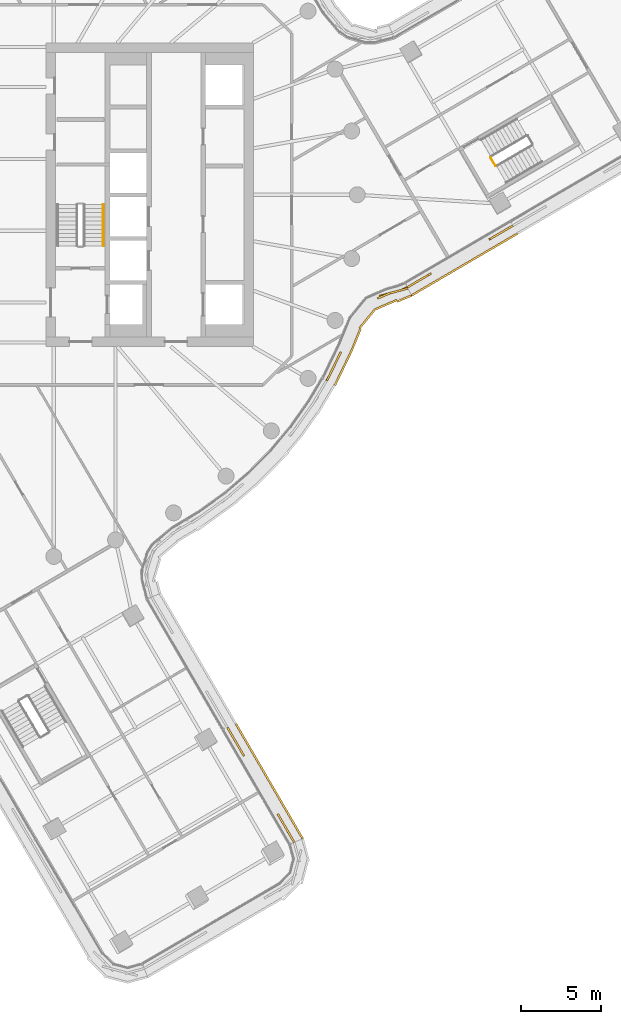
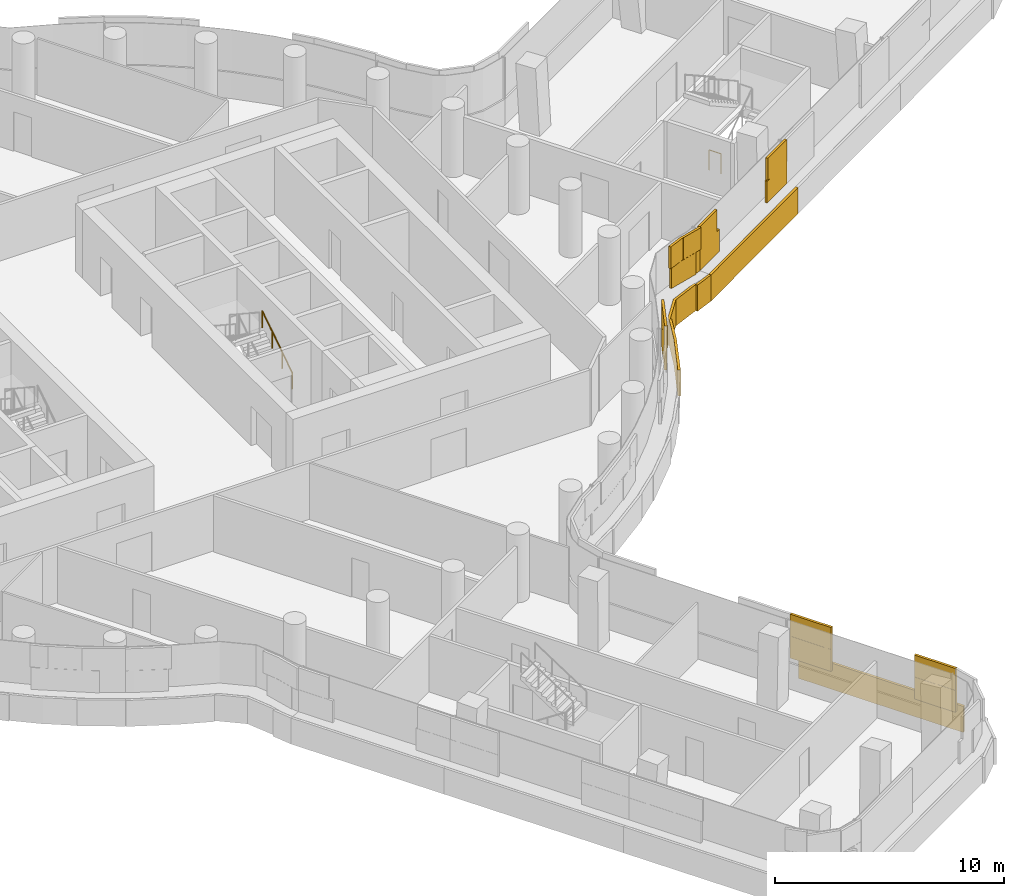
# One storey, part 31 of 35: 3 coverings, 2 railings.
"""IFC4 building model written with IfcOpenShell, lengths in metres."""

from ifc_helpers import new_model, si_unit, direction, frame, origin, origin_2d, place, context, subcontext, project, spatial, rectangle, circle, extrude, material, layer, layer_set, type_object, element, save


model = new_model("IFC4")

# Units and contexts
model_context = context("Model", 3, precision=1e-05, world=origin(), true_north=direction((0.0, 1.0)))
body_context = subcontext(model_context, "Body", "Model", "MODEL_VIEW")
ifc_project = project(units=[si_unit("LENGTHUNIT", "METRE"), si_unit("AREAUNIT", "SQUARE_METRE"), si_unit("VOLUMEUNIT", "CUBIC_METRE"), si_unit("PLANEANGLEUNIT", "RADIAN"), si_unit("MASSUNIT", "GRAM", prefix="KILO")], contexts=[model_context])

# Site, building, storey
site_placement = place(None, origin())
site = spatial("IfcSite", under=ifc_project, at=site_placement, CompositionType="ELEMENT")
building_placement = place(site_placement, origin())
building = spatial("IfcBuilding", under=site, at=building_placement, Name="Tamarind Cross Interchange Tower", CompositionType="ELEMENT")
storey_placement = place(building_placement, frame((0.0, 0.0, 144.25)))
storey = spatial("IfcBuildingStorey", under=building, at=storey_placement, Name="L35", CompositionType="ELEMENT", Elevation=144.25)

# Railings
ifc_material_1 = material(Name="Stair guard")
railing_type_1 = type_object("IfcRailingType", Name="Stair guard", PredefinedType="GUARDRAIL", material=ifc_material_1)
railing_1_placement = place(storey_placement, frame((31.6513671875, 1.817626953125, 0.0)))
element("IfcRailing", 1, at=railing_1_placement, inside=storey, type_object=railing_type_1, Name="L35 ST3 stair guard 4", PredefinedType="GUARDRAIL", context=body_context, shape_type="SweptSolid", body=[
    extrude(circle(Radius=0.02392578125, at=origin_2d()), frame((0.0, 0.0, 1.076171875), z_axis=(-0.504528630285, 0.863394962472, 0.0), x_axis=(-0.863394962472, -0.504528630285, 0.0)), (0.0, 0.0, 1.0), 0.60009765625),
    extrude(circle(Radius=0.02099609375, at=origin_2d()), origin(), (0.0, 0.0, 1.0), 1.052001953125),
    extrude(circle(Radius=0.02099609375, at=origin_2d()), frame((-0.302734375, 0.51806640625, 0.0)), (0.0, 0.0, 1.0), 1.052001953125),
])
ifc_material_2 = material(Name="Stair handrail")
railing_type_2 = type_object("IfcRailingType", Name="Stair handrail", PredefinedType="HANDRAIL", material=ifc_material_2)
railing_2_placement = place(storey_placement, frame((7.10009765625, -3.199951171875, 0.17041015625)))
element("IfcRailing", 2, at=railing_2_placement, inside=storey, type_object=railing_type_2, Name="L35 ST2 stair handrail 1", PredefinedType="HANDRAIL", context=body_context, shape_type="SweptSolid", body=[
    extrude(circle(Radius=0.02392578125, at=origin_2d()), frame((0.0, 0.0, 0.8759765625), z_axis=(0.0, 0.836278606002, 0.548304744775), x_axis=(-1.0, 0.0, 0.0)), (0.0, 0.0, 1.0), 3.10888671875),
    extrude(circle(Radius=0.02099609375, at=origin_2d()), origin(), (0.0, 0.0, 1.0), 0.851806640625),
    extrude(circle(Radius=0.02099609375, at=origin_2d()), frame((0.0, 0.86669921875, 0.568115234375)), (0.0, 0.0, 1.0), 0.851806640625),
    extrude(circle(Radius=0.02099609375, at=origin_2d()), frame((0.0, 1.733154296875, 1.136474609375)), (0.0, 0.0, 1.0), 0.851806640625),
    extrude(circle(Radius=0.02099609375, at=origin_2d()), frame((0.0, 2.599853515625, 1.70458984375)), (0.0, 0.0, 1.0), 0.851806640625),
])

# Coverings
ifc_material_3 = material(Name="Terracotta", Category="masonry")
ifc_layer = layer(ifc_material_3, 0.1201171875)
ifc_layer_set = layer_set([ifc_layer], Name="Terracotta")
covering_type = type_object("IfcCoveringType", Name="Terracotta baguette screen unit", PredefinedType="MOLDING", material=ifc_layer_set)
covering_1_placement = place(storey_placement, origin())
element("IfcCovering", 3, at=covering_1_placement, inside=storey, type_object=covering_type, Name="SCR-L35-05-00", PredefinedType="MOLDING", context=body_context, shape_type="SweptSolid", body=[
    extrude(rectangle(XDim=0.760009765625, YDim=0.1201171875, at=origin_2d()), frame((18.86181640625, -40.224609375, 1.404052734375), z_axis=(0.0, 0.0, 1.0), x_axis=(-0.502708433946, 0.864456031525, 0.0)), (0.0, 0.0, 1.0), 1.1669921875),
    extrude(rectangle(XDim=1.317138671875, YDim=0.1201171875, at=origin_2d()), frame((18.3447265625, -39.33544921875, 1.404052734375), z_axis=(0.0, 0.0, 1.0), x_axis=(-0.502708433946, 0.864456031525, 0.0)), (0.0, 0.0, 1.0), 1.1669921875),
    extrude(rectangle(XDim=0.5029296875, YDim=0.1201171875, at=origin_2d()), frame((15.781005859375, -34.9267578125, 1.404052734375), z_axis=(0.0, 0.0, 1.0), x_axis=(-0.502708433946, 0.864456031525, 0.0)), (0.0, 0.0, 1.0), 1.1669921875),
    extrude(rectangle(XDim=1.52001953125, YDim=0.1201171875, at=origin_2d()), frame((15.280029296875, -34.0654296875, 1.404052734375), z_axis=(0.0, 0.0, 1.0), x_axis=(-0.502708433946, 0.864456031525, 0.0)), (0.0, 0.0, 1.0), 1.1669921875),
    extrude(rectangle(XDim=0.073974609375, YDim=0.1201171875, at=origin_2d()), frame((14.886962890625, -33.389404296875, 1.404052734375), z_axis=(0.0, 0.0, 1.0), x_axis=(-0.502708433946, 0.864456031525, 0.0)), (0.0, 0.0, 1.0), 1.1669921875),
    extrude(rectangle(XDim=1.510009765625, YDim=0.1201171875, at=origin_2d()), frame((18.67333984375, -39.900390625, 2.5791015625), z_axis=(0.0, 0.0, 1.0), x_axis=(-0.502708433946, 0.864456031525, 0.0)), (0.0, 0.0, 1.0), 1.1669921875),
    extrude(rectangle(XDim=0.567138671875, YDim=0.1201171875, at=origin_2d()), frame((18.15625, -39.01123046875, 2.5791015625), z_axis=(0.0, 0.0, 1.0), x_axis=(-0.502708433946, 0.864456031525, 0.0)), (0.0, 0.0, 1.0), 1.1669921875),
    extrude(rectangle(XDim=1.2529296875, YDim=0.1201171875, at=origin_2d()), frame((15.592529296875, -34.6025390625, 2.5791015625), z_axis=(0.0, 0.0, 1.0), x_axis=(-0.502708433946, 0.864456031525, 0.0)), (0.0, 0.0, 1.0), 1.1669921875),
    extrude(rectangle(XDim=0.823974609375, YDim=0.1201171875, at=origin_2d()), frame((15.075439453125, -33.71337890625, 2.5791015625), z_axis=(0.0, 0.0, 1.0), x_axis=(-0.502708433946, 0.864456031525, 0.0)), (0.0, 0.0, 1.0), 1.1669921875),
    extrude(rectangle(XDim=0.760009765625, YDim=0.1201171875, at=origin_2d()), frame((19.393310546875, -39.99658203125, 0.00390625), z_axis=(0.0, 0.0, 1.0), x_axis=(-0.502708433946, 0.864456031525, 0.0)), (0.0, 0.0, 1.0), 1.39208984375),
    extrude(rectangle(XDim=1.52001953125, YDim=0.1201171875, at=origin_2d()), frame((18.830078125, -39.0283203125, 0.00390625), z_axis=(0.0, 0.0, 1.0), x_axis=(-0.502708433946, 0.864456031525, 0.0)), (0.0, 0.0, 1.0), 1.39208984375),
    extrude(rectangle(XDim=1.52001953125, YDim=0.1201171875, at=origin_2d()), frame((18.076171875, -37.731689453125, 0.00390625), z_axis=(0.0, 0.0, 1.0), x_axis=(-0.502708433946, 0.864456031525, 0.0)), (0.0, 0.0, 1.0), 1.39208984375),
    extrude(rectangle(XDim=1.52001953125, YDim=0.1201171875, at=origin_2d()), frame((17.322021484375, -36.43505859375, 0.00390625), z_axis=(0.0, 0.0, 1.0), x_axis=(-0.502708433946, 0.864456031525, 0.0)), (0.0, 0.0, 1.0), 1.39208984375),
    extrude(rectangle(XDim=1.52001953125, YDim=0.1201171875, at=origin_2d()), frame((16.56787109375, -35.13818359375, 0.00390625), z_axis=(0.0, 0.0, 1.0), x_axis=(-0.502708433946, 0.864456031525, 0.0)), (0.0, 0.0, 1.0), 1.39208984375),
    extrude(rectangle(XDim=1.52001953125, YDim=0.1201171875, at=origin_2d()), frame((15.81396484375, -33.841552734375, 0.00390625), z_axis=(0.0, 0.0, 1.0), x_axis=(-0.502708433946, 0.864456031525, 0.0)), (0.0, 0.0, 1.0), 1.39208984375),
    extrude(rectangle(XDim=0.072265625, YDim=0.1201171875, at=origin_2d()), frame((15.423828125, -33.170654296875, 0.00390625), z_axis=(0.0, 0.0, 1.0), x_axis=(-0.502708433946, 0.864456031525, 0.0)), (0.0, 0.0, 1.0), 1.39208984375),
])
covering_2_placement = place(storey_placement, origin())
element("IfcCovering", 4, at=covering_2_placement, inside=storey, type_object=covering_type, Name="SCR-L35-06-01", PredefinedType="MOLDING", context=body_context, shape_type="SweptSolid", body=[
    extrude(rectangle(XDim=0.376708984375, YDim=0.1201171875, at=origin_2d()), frame((21.171142578125, -11.475830078125, 1.404052734375), z_axis=(0.0, 0.0, 1.0), x_axis=(0.508183308752, 0.861248933065, 0.0)), (0.0, 0.0, 1.0), 1.1669921875),
    extrude(rectangle(XDim=1.52001953125, YDim=0.1201171875, at=origin_2d()), frame((21.586181640625, -10.64013671875, 1.404052734375), z_axis=(0.0, 0.0, 1.0), x_axis=(0.435326231914, 0.900272776334, 0.0)), (0.0, 0.0, 1.0), 1.1669921875),
    extrude(rectangle(XDim=1.52001953125, YDim=0.1201171875, at=origin_2d()), frame((25.112060546875, -6.14599609375, 1.404052734375), z_axis=(0.0, 0.0, 1.0), x_axis=(0.964561102727, 0.263859582177, 0.0)), (0.0, 0.0, 1.0), 1.1669921875),
    extrude(rectangle(XDim=0.349609375, YDim=0.1201171875, at=origin_2d()), frame((25.983642578125, -5.858154296875, 1.404052734375), z_axis=(0.0, 0.0, 1.0), x_axis=(0.921868562237, 0.387502714777, 0.0)), (0.0, 0.0, 1.0), 1.1669921875),
    extrude(rectangle(XDim=1.126708984375, YDim=0.1201171875, at=origin_2d()), frame((21.34326171875, -11.142822265625, 2.5791015625), z_axis=(0.0, 0.0, 1.0), x_axis=(0.435326231914, 0.900272776334, 0.0)), (0.0, 0.0, 1.0), 1.1669921875),
    extrude(rectangle(XDim=0.896484375, YDim=0.1201171875, at=origin_2d()), frame((21.779296875, -10.2412109375, 2.5791015625), z_axis=(0.0, 0.0, 1.0), x_axis=(0.435326231914, 0.900272776334, 0.0)), (0.0, 0.0, 1.0), 1.1669921875),
    extrude(rectangle(XDim=0.92333984375, YDim=0.1201171875, at=origin_2d()), frame((24.686279296875, -6.30859375, 2.5791015625), z_axis=(0.0, 0.0, 1.0), x_axis=(0.918267007233, 0.395961744904, 0.0)), (0.0, 0.0, 1.0), 1.1669921875),
    extrude(rectangle(XDim=1.099609375, YDim=0.1201171875, at=origin_2d()), frame((25.637451171875, -6.002197265625, 2.5791015625), z_axis=(0.0, 0.0, 1.0), x_axis=(0.964561102727, 0.263859582177, 0.0)), (0.0, 0.0, 1.0), 1.1669921875),
    extrude(rectangle(XDim=0.895263671875, YDim=0.1201171875, at=origin_2d()), frame((21.79833984375, -11.520263671875, 0.00390625), z_axis=(0.0, 0.0, 1.0), x_axis=(0.435326231914, 0.900272776334, 0.0)), (0.0, 0.0, 1.0), 1.39208984375),
    extrude(rectangle(XDim=1.52001953125, YDim=0.1201171875, at=origin_2d()), frame((22.315185546875, -10.451171875, 0.00390625), z_axis=(0.0, 0.0, 1.0), x_axis=(0.435326231914, 0.900272776334, 0.0)), (0.0, 0.0, 1.0), 1.39208984375),
    extrude(rectangle(XDim=1.52001953125, YDim=0.1201171875, at=origin_2d()), frame((22.9228515625, -9.08056640625, 0.00390625), z_axis=(0.0, 0.0, 1.0), x_axis=(0.378105205414, 0.925762633529, 0.0)), (0.0, 0.0, 1.0), 1.39208984375),
    extrude(rectangle(XDim=1.52001953125, YDim=0.1201171875, at=origin_2d()), frame((23.623046875, -7.771240234375, 0.00390625), z_axis=(0.0, 0.0, 1.0), x_axis=(0.635369060979, 0.772208622298, 0.0)), (0.0, 0.0, 1.0), 1.39208984375),
    extrude(rectangle(XDim=1.52001953125, YDim=0.1201171875, at=origin_2d()), frame((24.78515625, -6.89111328125, 0.00390625), z_axis=(0.0, 0.0, 1.0), x_axis=(0.918267007233, 0.395961744904, 0.0)), (0.0, 0.0, 1.0), 1.39208984375),
    extrude(rectangle(XDim=0.978515625, YDim=0.1201171875, at=origin_2d()), frame((25.9462890625, -6.49658203125, 0.00390625), z_axis=(0.0, 0.0, 1.0), x_axis=(0.921868562237, 0.387502714777, 0.0)), (0.0, 0.0, 1.0), 1.39208984375),
])
covering_3_placement = place(storey_placement, origin())
element("IfcCovering", 5, at=covering_3_placement, inside=storey, type_object=covering_type, Name="SCR-L35-07-00", PredefinedType="MOLDING", context=body_context, shape_type="SweptSolid", body=[
    extrude(rectangle(XDim=0.760009765625, YDim=0.1201171875, at=origin_2d()), frame((26.464111328125, -5.603271484375, 1.404052734375), z_axis=(0.0, 0.0, 1.0), x_axis=(0.863402595057, 0.50451556849, 0.0)), (0.0, 0.0, 1.0), 1.1669921875),
    extrude(rectangle(XDim=0.983642578125, YDim=0.1201171875, at=origin_2d()), frame((27.208251953125, -5.16845703125, 1.404052734375), z_axis=(0.0, 0.0, 1.0), x_axis=(0.863402595057, 0.50451556849, 0.0)), (0.0, 0.0, 1.0), 1.1669921875),
    extrude(rectangle(XDim=0.83642578125, YDim=0.1201171875, at=origin_2d()), frame((31.611572265625, -2.595458984375, 1.404052734375), z_axis=(0.0, 0.0, 1.0), x_axis=(0.863402595057, 0.50451556849, 0.0)), (0.0, 0.0, 1.0), 1.1669921875),
    extrude(rectangle(XDim=0.9072265625, YDim=0.1201171875, at=origin_2d()), frame((32.35546875, -2.16064453125, 1.404052734375), z_axis=(0.0, 0.0, 1.0), x_axis=(0.863402595057, 0.50451556849, 0.0)), (0.0, 0.0, 1.0), 1.1669921875),
    extrude(rectangle(XDim=1.510009765625, YDim=0.1201171875, at=origin_2d()), frame((26.787841796875, -5.4140625, 2.5791015625), z_axis=(0.0, 0.0, 1.0), x_axis=(0.863402595057, 0.50451556849, 0.0)), (0.0, 0.0, 1.0), 1.1669921875),
    extrude(rectangle(XDim=1.52001953125, YDim=0.1201171875, at=origin_2d()), frame((31.96826171875, -2.386962890625, 2.5791015625), z_axis=(0.0, 0.0, 1.0), x_axis=(0.863402595057, 0.50451556849, 0.0)), (0.0, 0.0, 1.0), 1.1669921875),
    extrude(rectangle(XDim=0.1572265625, YDim=0.1201171875, at=origin_2d()), frame((32.679443359375, -1.971435546875, 2.5791015625), z_axis=(0.0, 0.0, 1.0), x_axis=(0.863402595057, 0.50451556849, 0.0)), (0.0, 0.0, 1.0), 1.1669921875),
    extrude(rectangle(XDim=0.760009765625, YDim=0.1201171875, at=origin_2d()), frame((26.7255859375, -6.115234375, 0.00390625), z_axis=(0.0, 0.0, 1.0), x_axis=(0.863402595057, 0.50451556849, 0.0)), (0.0, 0.0, 1.0), 1.39208984375),
    extrude(rectangle(XDim=1.52001953125, YDim=0.1201171875, at=origin_2d()), frame((27.6923828125, -5.55029296875, 0.00390625), z_axis=(0.0, 0.0, 1.0), x_axis=(0.863402595057, 0.50451556849, 0.0)), (0.0, 0.0, 1.0), 1.39208984375),
    extrude(rectangle(XDim=1.52001953125, YDim=0.1201171875, at=origin_2d()), frame((28.987548828125, -4.79345703125, 0.00390625), z_axis=(0.0, 0.0, 1.0), x_axis=(0.863402595057, 0.50451556849, 0.0)), (0.0, 0.0, 1.0), 1.39208984375),
    extrude(rectangle(XDim=1.52001953125, YDim=0.1201171875, at=origin_2d()), frame((30.28271484375, -4.03662109375, 0.00390625), z_axis=(0.0, 0.0, 1.0), x_axis=(0.863402595057, 0.50451556849, 0.0)), (0.0, 0.0, 1.0), 1.39208984375),
    extrude(rectangle(XDim=1.52001953125, YDim=0.1201171875, at=origin_2d()), frame((31.577880859375, -3.27978515625, 0.00390625), z_axis=(0.0, 0.0, 1.0), x_axis=(0.863402595057, 0.50451556849, 0.0)), (0.0, 0.0, 1.0), 1.39208984375),
    extrude(rectangle(XDim=0.94189453125, YDim=0.1201171875, at=origin_2d()), frame((32.623291015625, -2.6689453125, 0.00390625), z_axis=(0.0, 0.0, 1.0), x_axis=(0.863402595057, 0.50451556849, 0.0)), (0.0, 0.0, 1.0), 1.39208984375),
])

save(model, "model.ifc")
